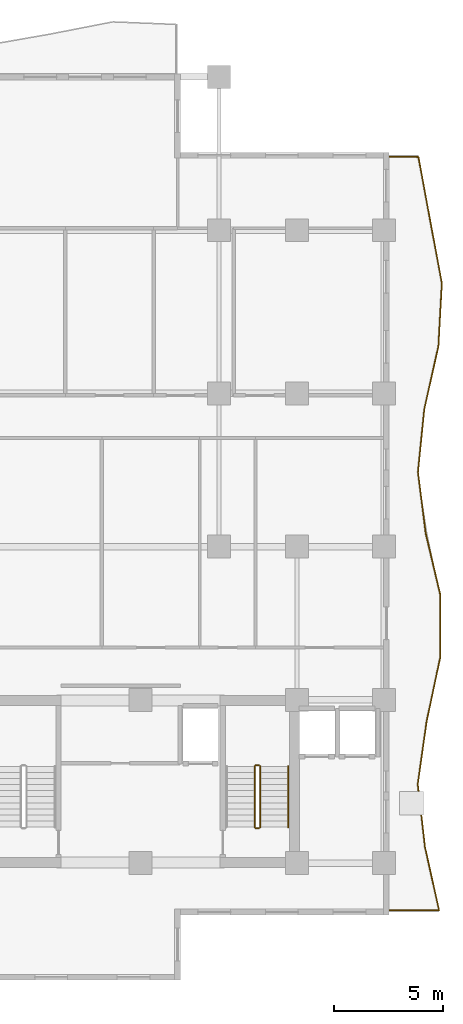
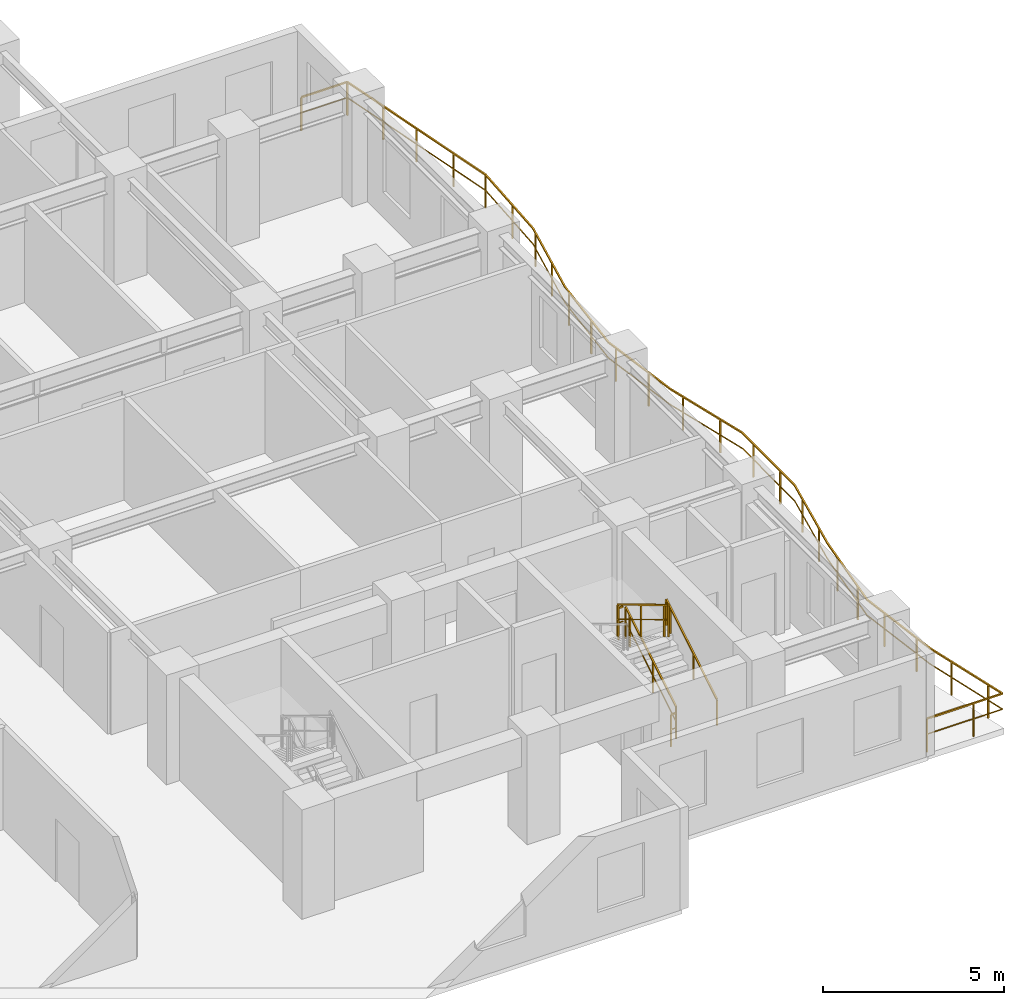
# One storey, part 12 of 13: 6 railings.
"""IFC4 building model written with IfcOpenShell, lengths in metres."""

from ifc_helpers import new_model, si_unit, direction, frame, origin, origin_2d, place, context, subcontext, project, spatial, rectangle, extrude, material, type_object, element, save


model = new_model("IFC4")

# Units and contexts
model_context = context("Model", 3, precision=1e-05, world=origin(), true_north=direction((0.0, 1.0)))
body_context = subcontext(model_context, "Body", "Model", "MODEL_VIEW")
ifc_project = project(units=[si_unit("LENGTHUNIT", "METRE"), si_unit("AREAUNIT", "SQUARE_METRE"), si_unit("VOLUMEUNIT", "CUBIC_METRE"), si_unit("PLANEANGLEUNIT", "RADIAN"), si_unit("MASSUNIT", "GRAM", prefix="KILO")], contexts=[model_context])

# Site, building, storey
site_placement = place(None, origin())
site = spatial("IfcSite", under=ifc_project, at=site_placement, CompositionType="ELEMENT")
building_placement = place(site_placement, origin())
building = spatial("IfcBuilding", under=site, at=building_placement, Name="Kaliganga Portal Commons", CompositionType="ELEMENT")
storey_placement = place(building_placement, frame((0.0, 0.0, 177.199951171875)))
storey = spatial("IfcBuildingStorey", under=building, at=storey_placement, Name="L45", CompositionType="ELEMENT", Elevation=177.199951171875)

# Railings
ifc_material_1 = material(Name="Laminated Safety Glass and Stainless Steel 316", Category="steel")
railing_type_1 = type_object("IfcRailingType", Name="RLG-BAL-1150", PredefinedType="BALUSTRADE", material=ifc_material_1)
railing_1_placement = place(storey_placement, frame((54.5078125, 4.879638671875, 0.0)))
element("IfcRailing", 1, at=railing_1_placement, inside=storey, type_object=railing_type_1, Name="Balcony Guardrail L45 balc_east", PredefinedType="BALUSTRADE", context=body_context, shape_type="SweptSolid", body=[
    extrude(rectangle(XDim=0.048095703125, YDim=0.048095703125, at=origin_2d()), frame((0.0, 0.0, 1.1259765625), z_axis=(0.999999994909, 0.000100908173, 0.0), x_axis=(-0.000100908173, 0.999999994909, 0.0)), (0.0, 0.0, 1.0), 2.41943359375),
    extrude(rectangle(XDim=0.028076171875, YDim=0.028076171875, at=origin_2d()), frame((0.0, 0.0, 0.597900390625), z_axis=(0.999999994909, 0.000100908173, 0.0), x_axis=(-0.000100908173, 0.999999994909, 0.0)), (0.0, 0.0, 1.0), 2.41943359375),
    extrude(rectangle(XDim=0.048095703125, YDim=0.048095703125, at=origin_2d()), frame((2.41943359375, 0.000244140625, 1.1259765625), z_axis=(-0.217652475167, 0.976026331639, 0.0), x_axis=(-0.976026331639, -0.217652475167, 0.0)), (0.0, 0.0, 1.0), 2.971435546875),
    extrude(rectangle(XDim=0.028076171875, YDim=0.028076171875, at=origin_2d()), frame((2.41943359375, 0.000244140625, 0.597900390625), z_axis=(-0.217652475167, 0.976026331639, 0.0), x_axis=(-0.976026331639, -0.217652475167, 0.0)), (0.0, 0.0, 1.0), 2.971435546875),
    extrude(rectangle(XDim=0.048095703125, YDim=0.048095703125, at=origin_2d()), frame((1.772705078125, 2.900390625, 1.1259765625), z_axis=(-0.114414587111, 0.993433088968, 0.0), x_axis=(-0.993433088968, -0.114414587111, 0.0)), (0.0, 0.0, 1.0), 2.919189453125),
    extrude(rectangle(XDim=0.028076171875, YDim=0.028076171875, at=origin_2d()), frame((1.772705078125, 2.900390625, 0.597900390625), z_axis=(-0.114414587111, 0.993433088968, 0.0), x_axis=(-0.993433088968, -0.114414587111, 0.0)), (0.0, 0.0, 1.0), 2.919189453125),
    extrude(rectangle(XDim=0.048095703125, YDim=0.048095703125, at=origin_2d()), frame((1.438720703125, 5.80029296875, 1.1259765625), z_axis=(0.140767908968, 0.990042623226, 0.0), x_axis=(-0.990042623226, 0.140767908968, 0.0)), (0.0, 0.0, 1.0), 2.92919921875),
    extrude(rectangle(XDim=0.028076171875, YDim=0.028076171875, at=origin_2d()), frame((1.438720703125, 5.80029296875, 0.597900390625), z_axis=(0.140767908968, 0.990042623226, 0.0), x_axis=(-0.990042623226, 0.140767908968, 0.0)), (0.0, 0.0, 1.0), 2.92919921875),
    extrude(rectangle(XDim=0.048095703125, YDim=0.048095703125, at=origin_2d()), frame((1.85107421875, 8.700439453125, 1.1259765625), z_axis=(0.208060699299, 0.978115916141, 0.0), x_axis=(-0.978115916141, 0.208060699299, 0.0)), (0.0, 0.0, 1.0), 2.964111328125),
    extrude(rectangle(XDim=0.028076171875, YDim=0.028076171875, at=origin_2d()), frame((1.85107421875, 8.700439453125, 0.597900390625), z_axis=(0.208060699299, 0.978115916141, 0.0), x_axis=(-0.978115916141, 0.208060699299, 0.0)), (0.0, 0.0, 1.0), 2.964111328125),
    extrude(rectangle(XDim=0.048095703125, YDim=0.048095703125, at=origin_2d()), frame((2.4677734375, 11.599609375, 1.1259765625), z_axis=(0.003622554158, 0.999993438529, 0.0), x_axis=(-0.999993438529, 0.003622554158, 0.0)), (0.0, 0.0, 1.0), 2.89794921875),
    extrude(rectangle(XDim=0.028076171875, YDim=0.028076171875, at=origin_2d()), frame((2.4677734375, 11.599609375, 0.597900390625), z_axis=(0.003622554158, 0.999993438529, 0.0), x_axis=(-0.999993438529, 0.003622554158, 0.0)), (0.0, 0.0, 1.0), 2.89794921875),
    extrude(rectangle(XDim=0.048095703125, YDim=0.048095703125, at=origin_2d()), frame((2.478271484375, 14.49755859375, 1.1259765625), z_axis=(-0.231233725446, 0.972898229116, 0.0), x_axis=(-0.972898229116, -0.231233725446, 0.0)), (0.0, 0.0, 1.0), 2.9013671875),
    extrude(rectangle(XDim=0.028076171875, YDim=0.028076171875, at=origin_2d()), frame((2.478271484375, 14.49755859375, 0.597900390625), z_axis=(-0.231233725446, 0.972898229116, 0.0), x_axis=(-0.972898229116, -0.231233725446, 0.0)), (0.0, 0.0, 1.0), 2.9013671875),
    extrude(rectangle(XDim=0.048095703125, YDim=0.048095703125, at=origin_2d()), frame((1.807373046875, 17.3203125, 1.1259765625), z_axis=(-0.126222017264, 0.992002017315, 0.0), x_axis=(-0.992002017315, -0.126222017264, 0.0)), (0.0, 0.0, 1.0), 2.84326171875),
    extrude(rectangle(XDim=0.028076171875, YDim=0.028076171875, at=origin_2d()), frame((1.807373046875, 17.3203125, 0.597900390625), z_axis=(-0.126222017264, 0.992002017315, 0.0), x_axis=(-0.992002017315, -0.126222017264, 0.0)), (0.0, 0.0, 1.0), 2.84326171875),
    extrude(rectangle(XDim=0.048095703125, YDim=0.048095703125, at=origin_2d()), frame((1.448486328125, 20.140869140625, 1.1259765625), z_axis=(0.100034594792, 0.994983959592, 0.0), x_axis=(-0.994983959592, 0.100034594792, 0.0)), (0.0, 0.0, 1.0), 2.9140625),
    extrude(rectangle(XDim=0.028076171875, YDim=0.028076171875, at=origin_2d()), frame((1.448486328125, 20.140869140625, 0.597900390625), z_axis=(0.100034594792, 0.994983959592, 0.0), x_axis=(-0.994983959592, 0.100034594792, 0.0)), (0.0, 0.0, 1.0), 2.9140625),
    extrude(rectangle(XDim=0.048095703125, YDim=0.048095703125, at=origin_2d()), frame((1.739990234375, 23.040283203125, 1.1259765625), z_axis=(0.218730334627, 0.975785345613, 0.0), x_axis=(-0.975785345613, 0.218730334627, 0.0)), (0.0, 0.0, 1.0), 2.972412109375),
    extrude(rectangle(XDim=0.028076171875, YDim=0.028076171875, at=origin_2d()), frame((1.739990234375, 23.040283203125, 0.597900390625), z_axis=(0.218730334627, 0.975785345613, 0.0), x_axis=(-0.975785345613, 0.218730334627, 0.0)), (0.0, 0.0, 1.0), 2.972412109375),
    extrude(rectangle(XDim=0.048095703125, YDim=0.048095703125, at=origin_2d()), frame((2.39013671875, 25.940673828125, 1.1259765625), z_axis=(0.054389821221, 0.998519778145, 0.0), x_axis=(-0.998519778145, 0.054389821221, 0.0)), (0.0, 0.0, 1.0), 2.904296875),
    extrude(rectangle(XDim=0.028076171875, YDim=0.028076171875, at=origin_2d()), frame((2.39013671875, 25.940673828125, 0.597900390625), z_axis=(0.054389821221, 0.998519778145, 0.0), x_axis=(-0.998519778145, 0.054389821221, 0.0)), (0.0, 0.0, 1.0), 2.904296875),
    extrude(rectangle(XDim=0.048095703125, YDim=0.048095703125, at=origin_2d()), frame((2.548095703125, 28.840576171875, 1.1259765625), z_axis=(-0.183718891222, 0.982978824293, 0.0), x_axis=(-0.982978824293, -0.183718891222, 0.0)), (0.0, 0.0, 1.0), 2.9501953125),
    extrude(rectangle(XDim=0.028076171875, YDim=0.028076171875, at=origin_2d()), frame((2.548095703125, 28.840576171875, 0.597900390625), z_axis=(-0.183718891222, 0.982978824293, 0.0), x_axis=(-0.982978824293, -0.183718891222, 0.0)), (0.0, 0.0, 1.0), 2.9501953125),
    extrude(rectangle(XDim=0.048095703125, YDim=0.048095703125, at=origin_2d()), frame((2.006103515625, 31.740478515625, 1.1259765625), z_axis=(-0.181638624046, 0.983365349326, 0.0), x_axis=(-0.983365349326, -0.181638624046, 0.0)), (0.0, 0.0, 1.0), 2.948974609375),
    extrude(rectangle(XDim=0.028076171875, YDim=0.028076171875, at=origin_2d()), frame((2.006103515625, 31.740478515625, 0.597900390625), z_axis=(-0.181638624046, 0.983365349326, 0.0), x_axis=(-0.983365349326, -0.181638624046, 0.0)), (0.0, 0.0, 1.0), 2.948974609375),
    extrude(rectangle(XDim=0.048095703125, YDim=0.048095703125, at=origin_2d()), frame((1.470458984375, 34.640380859375, 1.1259765625), z_axis=(-0.999999944868, 0.000332060417, 0.0), x_axis=(-0.000332060417, -0.999999944868, 0.0)), (0.0, 0.0, 1.0), 1.470458984375),
    extrude(rectangle(XDim=0.028076171875, YDim=0.028076171875, at=origin_2d()), frame((1.470458984375, 34.640380859375, 0.597900390625), z_axis=(-0.999999944868, 0.000332060417, 0.0), x_axis=(-0.000332060417, -0.999999944868, 0.0)), (0.0, 0.0, 1.0), 1.470458984375),
    extrude(rectangle(XDim=0.0419921875, YDim=0.0419921875, at=origin_2d()), origin(), (0.0, 0.0, 1.0), 1.101806640625),
    extrude(rectangle(XDim=0.0419921875, YDim=0.0419921875, at=origin_2d()), frame((1.5, 0.000244140625, 0.0)), (0.0, 0.0, 1.0), 1.101806640625),
    extrude(rectangle(XDim=0.0419921875, YDim=0.0419921875, at=origin_2d()), frame((2.29296875, 0.56689453125, 0.0)), (0.0, 0.0, 1.0), 1.101806640625),
    extrude(rectangle(XDim=0.0419921875, YDim=0.0419921875, at=origin_2d()), frame((1.966552734375, 2.031005859375, 0.0)), (0.0, 0.0, 1.0), 1.101806640625),
    extrude(rectangle(XDim=0.0419921875, YDim=0.0419921875, at=origin_2d()), frame((1.703125, 3.505615234375, 0.0)), (0.0, 0.0, 1.0), 1.101806640625),
    extrude(rectangle(XDim=0.0419921875, YDim=0.0419921875, at=origin_2d()), frame((1.531494140625, 4.99560546875, 0.0)), (0.0, 0.0, 1.0), 1.101806640625),
    extrude(rectangle(XDim=0.0419921875, YDim=0.0419921875, at=origin_2d()), frame((1.535888671875, 6.483642578125, 0.0)), (0.0, 0.0, 1.0), 1.101806640625),
    extrude(rectangle(XDim=0.0419921875, YDim=0.0419921875, at=origin_2d()), frame((1.7470703125, 7.968505859375, 0.0)), (0.0, 0.0, 1.0), 1.101806640625),
    extrude(rectangle(XDim=0.0419921875, YDim=0.0419921875, at=origin_2d()), frame((2.00927734375, 9.444580078125, 0.0)), (0.0, 0.0, 1.0), 1.101806640625),
    extrude(rectangle(XDim=0.0419921875, YDim=0.0419921875, at=origin_2d()), frame((2.321533203125, 10.911865234375, 0.0)), (0.0, 0.0, 1.0), 1.101806640625),
    extrude(rectangle(XDim=0.0419921875, YDim=0.0419921875, at=origin_2d()), frame((2.470703125, 12.396484375, 0.0)), (0.0, 0.0, 1.0), 1.101806640625),
    extrude(rectangle(XDim=0.0419921875, YDim=0.0419921875, at=origin_2d()), frame((2.47607421875, 13.896240234375, 0.0)), (0.0, 0.0, 1.0), 1.101806640625),
    extrude(rectangle(XDim=0.0419921875, YDim=0.0419921875, at=origin_2d()), frame((2.2705078125, 15.3720703125, 0.0)), (0.0, 0.0, 1.0), 1.101806640625),
    extrude(rectangle(XDim=0.0419921875, YDim=0.0419921875, at=origin_2d()), frame((1.923583984375, 16.831298828125, 0.0)), (0.0, 0.0, 1.0), 1.101806640625),
    extrude(rectangle(XDim=0.0419921875, YDim=0.0419921875, at=origin_2d()), frame((1.681396484375, 18.309814453125, 0.0)), (0.0, 0.0, 1.0), 1.101806640625),
    extrude(rectangle(XDim=0.0419921875, YDim=0.0419921875, at=origin_2d()), frame((1.4921875, 19.7978515625, 0.0)), (0.0, 0.0, 1.0), 1.101806640625),
    extrude(rectangle(XDim=0.0419921875, YDim=0.0419921875, at=origin_2d()), frame((1.56396484375, 21.289306640625, 0.0)), (0.0, 0.0, 1.0), 1.101806640625),
    extrude(rectangle(XDim=0.0419921875, YDim=0.0419921875, at=origin_2d()), frame((1.714111328125, 22.78173828125, 0.0)), (0.0, 0.0, 1.0), 1.101806640625),
    extrude(rectangle(XDim=0.0419921875, YDim=0.0419921875, at=origin_2d()), frame((2.01123046875, 24.250244140625, 0.0)), (0.0, 0.0, 1.0), 1.101806640625),
    extrude(rectangle(XDim=0.0419921875, YDim=0.0419921875, at=origin_2d()), frame((2.33935546875, 25.714111328125, 0.0)), (0.0, 0.0, 1.0), 1.101806640625),
    extrude(rectangle(XDim=0.0419921875, YDim=0.0419921875, at=origin_2d()), frame((2.458984375, 27.20654296875, 0.0)), (0.0, 0.0, 1.0), 1.101806640625),
    extrude(rectangle(XDim=0.0419921875, YDim=0.0419921875, at=origin_2d()), frame((2.548095703125, 28.840576171875, 0.0)), (0.0, 0.0, 1.0), 1.101806640625),
    extrude(rectangle(XDim=0.0419921875, YDim=0.0419921875, at=origin_2d()), frame((2.297607421875, 30.180908203125, 0.0)), (0.0, 0.0, 1.0), 1.101806640625),
    extrude(rectangle(XDim=0.0419921875, YDim=0.0419921875, at=origin_2d()), frame((2.006103515625, 31.740478515625, 0.0)), (0.0, 0.0, 1.0), 1.101806640625),
    extrude(rectangle(XDim=0.0419921875, YDim=0.0419921875, at=origin_2d()), frame((1.749267578125, 33.13037109375, 0.0)), (0.0, 0.0, 1.0), 1.101806640625),
    extrude(rectangle(XDim=0.0419921875, YDim=0.0419921875, at=origin_2d()), frame((1.470458984375, 34.640380859375, 0.0)), (0.0, 0.0, 1.0), 1.101806640625),
    extrude(rectangle(XDim=0.0419921875, YDim=0.0419921875, at=origin_2d()), frame((0.0, 34.640869140625, 0.0)), (0.0, 0.0, 1.0), 1.101806640625),
])
ifc_material_2 = material(Name="Galvanized Painted Steel Balustrade", Category="steel")
railing_type_2 = type_object("IfcRailingType", Name="RLG-STAIR-GRD", PredefinedType="GUARDRAIL", material=ifc_material_2)
railing_2_placement = place(storey_placement, frame((48.699951171875, 8.699951171875, 0.168212890625)))
element("IfcRailing", 2, at=railing_2_placement, inside=storey, type_object=railing_type_2, Name="L45 ST-B2 stair guard 1", PredefinedType="GUARDRAIL", context=body_context, shape_type="SweptSolid", body=[
    extrude(rectangle(XDim=0.048095703125, YDim=0.048095703125, at=origin_2d()), frame((0.0, 0.0, 1.072021484375), z_axis=(0.0, 0.857242210791, 0.514913383045), x_axis=(-1.0, 0.0, 0.0)), (0.0, 0.0, 1.0), 3.266357421875),
    extrude(rectangle(XDim=0.028076171875, YDim=0.028076171875, at=origin_2d()), frame((0.0, 0.0, 0.572021484375), z_axis=(0.0, 0.857242210791, 0.514913383045), x_axis=(-1.0, 0.0, 0.0)), (0.0, 0.0, 1.0), 3.266357421875),
    extrude(rectangle(XDim=0.0419921875, YDim=0.0419921875, at=origin_2d()), origin(), (0.0, 0.0, 1.0), 1.052001953125),
    extrude(rectangle(XDim=0.0419921875, YDim=0.0419921875, at=origin_2d()), frame((0.0, 1.285888671875, 0.7724609375)), (0.0, 0.0, 1.0), 1.052001953125),
    extrude(rectangle(XDim=0.0419921875, YDim=0.0419921875, at=origin_2d()), frame((0.0, 2.57177734375, 1.544677734375)), (0.0, 0.0, 1.0), 1.052001953125),
    extrude(rectangle(XDim=0.0419921875, YDim=0.0419921875, at=origin_2d()), frame((0.0, 2.800048828125, 1.681884765625)), (0.0, 0.0, 1.0), 1.052001953125),
])
railing_3_placement = place(storey_placement, frame((48.64990234375, 11.550048828125, 1.85009765625)))
element("IfcRailing", 3, at=railing_3_placement, inside=storey, type_object=railing_type_2, Name="L45 ST-B2 stair guard 2", PredefinedType="GUARDRAIL", context=body_context, shape_type="SweptSolid", body=[
    extrude(rectangle(XDim=0.048095703125, YDim=0.048095703125, at=origin_2d()), frame((0.0, 0.0, 1.076171875), z_axis=(-1.0, 0.0, 0.0), x_axis=(0.0, -1.0, 0.0)), (0.0, 0.0, 1.0), 0.14990234375),
    extrude(rectangle(XDim=0.028076171875, YDim=0.028076171875, at=origin_2d()), frame((0.0, 0.0, 0.572021484375), z_axis=(-1.0, 0.0, 0.0), x_axis=(0.0, -1.0, 0.0)), (0.0, 0.0, 1.0), 0.14990234375),
    extrude(rectangle(XDim=0.0419921875, YDim=0.0419921875, at=origin_2d()), frame((-0.14990234375, 0.0, 0.0)), (0.0, 0.0, 1.0), 1.052001953125),
])
railing_4_placement = place(storey_placement, frame((48.449951171875, 11.5, 2.018310546875)))
element("IfcRailing", 4, at=railing_4_placement, inside=storey, type_object=railing_type_2, Name="L45 ST-B2 stair guard 3", PredefinedType="GUARDRAIL", context=body_context, shape_type="SweptSolid", body=[
    extrude(rectangle(XDim=0.048095703125, YDim=0.048095703125, at=origin_2d()), frame((0.0, 0.0, 1.072021484375), z_axis=(0.0, -0.857275202839, 0.514858452973), x_axis=(1.0, 0.0, 0.0)), (0.0, 0.0, 1.0), 3.26611328125),
    extrude(rectangle(XDim=0.028076171875, YDim=0.028076171875, at=origin_2d()), frame((0.0, 0.0, 0.572021484375), z_axis=(0.0, -0.857275202839, 0.514858452973), x_axis=(1.0, 0.0, 0.0)), (0.0, 0.0, 1.0), 3.26611328125),
    extrude(rectangle(XDim=0.0419921875, YDim=0.0419921875, at=origin_2d()), origin(), (0.0, 0.0, 1.0), 1.052001953125),
    extrude(rectangle(XDim=0.0419921875, YDim=0.0419921875, at=origin_2d()), frame((0.0, -1.285888671875, 0.772216796875)), (0.0, 0.0, 1.0), 1.052001953125),
    extrude(rectangle(XDim=0.0419921875, YDim=0.0419921875, at=origin_2d()), frame((0.0, -2.57177734375, 1.544677734375)), (0.0, 0.0, 1.0), 1.052001953125),
    extrude(rectangle(XDim=0.0419921875, YDim=0.0419921875, at=origin_2d()), frame((0.0, -2.800048828125, 1.681640625)), (0.0, 0.0, 1.0), 1.052001953125),
])
railing_5_placement = place(storey_placement, frame((48.64990234375, 8.64990234375, 0.0)))
element("IfcRailing", 5, at=railing_5_placement, inside=storey, type_object=railing_type_2, Name="L45 ST-B2 stair guard 4", PredefinedType="GUARDRAIL", context=body_context, shape_type="SweptSolid", body=[
    extrude(rectangle(XDim=0.048095703125, YDim=0.048095703125, at=origin_2d()), frame((0.0, 0.0, 1.076171875), z_axis=(-1.0, 0.0, 0.0), x_axis=(0.0, -1.0, 0.0)), (0.0, 0.0, 1.0), 0.14990234375),
    extrude(rectangle(XDim=0.028076171875, YDim=0.028076171875, at=origin_2d()), frame((0.0, 0.0, 0.572021484375), z_axis=(-1.0, 0.0, 0.0), x_axis=(0.0, -1.0, 0.0)), (0.0, 0.0, 1.0), 0.14990234375),
    extrude(rectangle(XDim=0.0419921875, YDim=0.0419921875, at=origin_2d()), frame((-0.14990234375, 0.0, 0.0)), (0.0, 0.0, 1.0), 1.052001953125),
])
ifc_material_3 = material(Name="Brushed Stainless Steel 316", Category="steel")
railing_type_3 = type_object("IfcRailingType", Name="RLG-STAIR-HR", PredefinedType="HANDRAIL", material=ifc_material_3)
railing_6_placement = place(storey_placement, frame((50.0, 8.699951171875, 0.168212890625)))
element("IfcRailing", 6, at=railing_6_placement, inside=storey, type_object=railing_type_3, Name="L45 ST-B2 stair handrail 1", PredefinedType="HANDRAIL", context=body_context, shape_type="SweptSolid", body=[
    extrude(rectangle(XDim=0.048095703125, YDim=0.048095703125, at=origin_2d()), frame((0.0, 0.0, 0.871826171875), z_axis=(0.0, 0.857242210791, 0.514913383045), x_axis=(-1.0, 0.0, 0.0)), (0.0, 0.0, 1.0), 3.266357421875),
    extrude(rectangle(XDim=0.0419921875, YDim=0.0419921875, at=origin_2d()), origin(), (0.0, 0.0, 1.0), 0.851806640625),
    extrude(rectangle(XDim=0.0419921875, YDim=0.0419921875, at=origin_2d()), frame((0.0, 1.285888671875, 0.7724609375)), (0.0, 0.0, 1.0), 0.851806640625),
    extrude(rectangle(XDim=0.0419921875, YDim=0.0419921875, at=origin_2d()), frame((0.0, 2.57177734375, 1.544677734375)), (0.0, 0.0, 1.0), 0.851806640625),
    extrude(rectangle(XDim=0.0419921875, YDim=0.0419921875, at=origin_2d()), frame((0.0, 2.800048828125, 1.681884765625)), (0.0, 0.0, 1.0), 0.851806640625),
])

save(model, "model.ifc")
